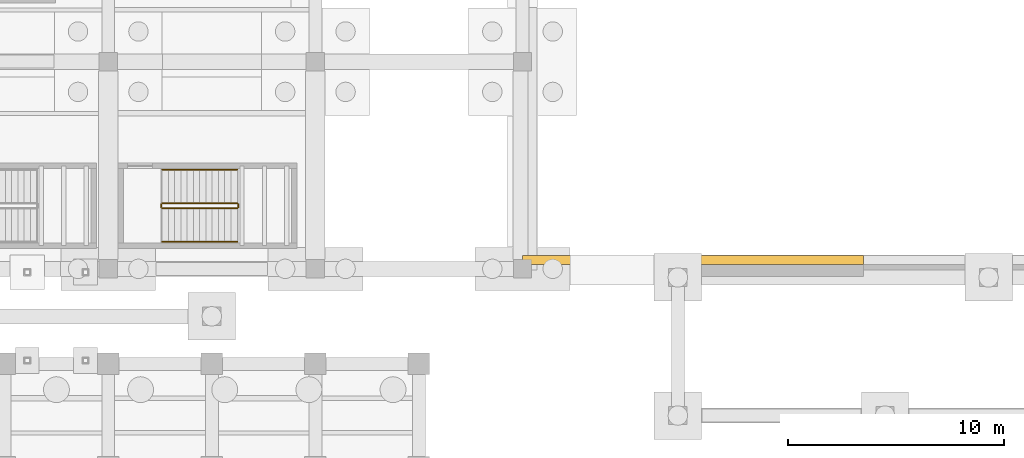
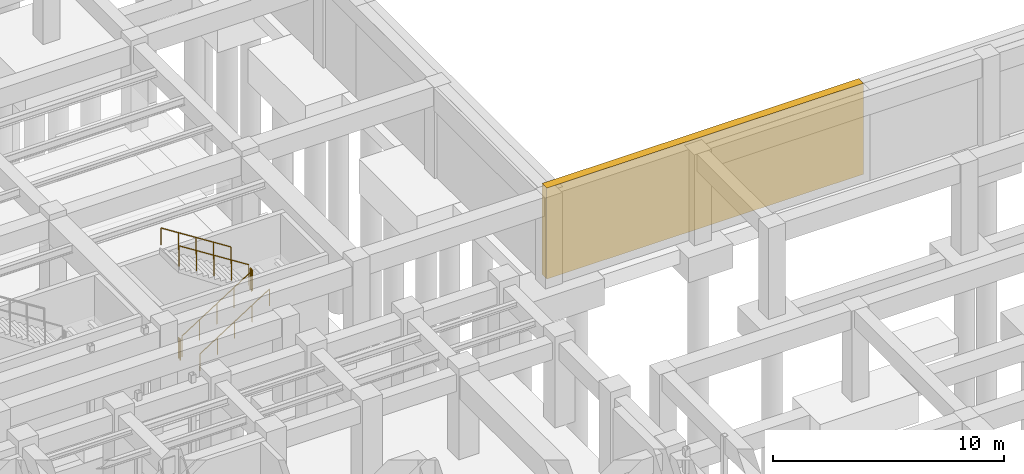
# One storey, part 52 of 56: 6 railings, 1 covering.
"""IFC4 building model written with IfcOpenShell, lengths in metres."""

from ifc_helpers import new_model, si_unit, direction, frame, origin, origin_2d, place, context, subcontext, project, spatial, polyline, circle, outline, extrude, material, layer, layer_set, type_object, element, save


model = new_model("IFC4")

# Units and contexts
model_context = context("Model", 3, precision=1e-05, world=origin(), true_north=direction((0.0, 1.0)))
body_context = subcontext(model_context, "Body", "Model", "MODEL_VIEW")
ifc_project = project(units=[si_unit("LENGTHUNIT", "METRE"), si_unit("AREAUNIT", "SQUARE_METRE"), si_unit("VOLUMEUNIT", "CUBIC_METRE"), si_unit("PLANEANGLEUNIT", "RADIAN"), si_unit("MASSUNIT", "GRAM", prefix="KILO")], contexts=[model_context])

# Site, building, storey
site_placement = place(None, origin())
site = spatial("IfcSite", under=ifc_project, at=site_placement, CompositionType="ELEMENT")
building_placement = place(site_placement, origin())
building = spatial("IfcBuilding", under=site, at=building_placement, Name="Mavantir Sound Aquarium", CompositionType="ELEMENT")
storey_placement = place(building_placement, frame((0.0, 0.0, -9.60009765625)))
storey = spatial("IfcBuildingStorey", under=building, at=storey_placement, Name="B2", CompositionType="ELEMENT", Elevation=-9.60009765625)

# Covering
ifc_material_1 = material(Name="Honed Coral-Limestone & Glazed Terracotta Rainscreen Cladding", Category="masonry")
ifc_layer = layer(ifc_material_1, 0.06005859375, Name="Honed Coral-Limestone & Glazed Terracotta Rainscreen Cladding")
ifc_layer_set = layer_set([ifc_layer], Name="Honed Coral-Limestone & Glazed Terracotta Rainscreen Cladding")
covering_type = type_object("IfcCoveringType", Name="COV-CLAD-TC", PredefinedType="CLADDING", material=ifc_layer_set)
covering_placement = place(storey_placement, origin())
element("IfcCovering", 1, at=covering_placement, inside=storey, type_object=covering_type, Name="B2 rusticated coral-stone plinth cladding 31", PredefinedType="CLADDING", context=body_context, shape_type="SweptSolid", body=[
    extrude(outline(polyline([(54.199951171875, 83.800048828125), (38.39990234375, 83.800048828125), (38.39990234375, 84.2099609375), (54.199951171875, 84.2099609375), (54.199951171875, 83.800048828125)])), origin(), (0.0, 0.0, 1.0), 4.800048828125),
])

# Railings
ifc_material_2 = material(Name="Stainless Steel 316 and Laminated Glass Guardrail", Category="steel")
railing_type_1 = type_object("IfcRailingType", Name="RL-GUARD-110", PredefinedType="GUARDRAIL", material=ifc_material_2)
railing_1_placement = place(storey_placement, frame((21.699951171875, 86.39990234375, 0.184814453125)))
element("IfcRailing", 2, at=railing_1_placement, inside=storey, type_object=railing_type_1, Name="B2 ST7 stair guard 1", PredefinedType="GUARDRAIL", context=body_context, shape_type="SweptSolid", body=[
    extrude(circle(Radius=0.02392578125, at=origin_2d()), frame((0.0, 0.0, 1.076171875), z_axis=(0.843573748531, 0.0, 0.537013343214), x_axis=(0.0, 1.0, 0.0)), (0.0, 0.0, 1.0), 4.125244140625),
    extrude(circle(Radius=0.02099609375, at=origin_2d()), origin(), (0.0, 0.0, 1.0), 1.052001953125),
    extrude(circle(Radius=0.02099609375, at=origin_2d()), frame((0.8701171875, 0.0, 0.5537109375)), (0.0, 0.0, 1.0), 1.052001953125),
    extrude(circle(Radius=0.02099609375, at=origin_2d()), frame((1.739990234375, 0.0, 1.107666015625)), (0.0, 0.0, 1.0), 1.052001953125),
    extrude(circle(Radius=0.02099609375, at=origin_2d()), frame((2.60986328125, 0.0, 1.66162109375)), (0.0, 0.0, 1.0), 1.052001953125),
    extrude(circle(Radius=0.02099609375, at=origin_2d()), frame((3.47998046875, 0.0, 2.21533203125)), (0.0, 0.0, 1.0), 1.052001953125),
])
railing_2_placement = place(storey_placement, frame((25.22998046875, 86.449951171875, 2.400146484375)))
element("IfcRailing", 3, at=railing_2_placement, inside=storey, type_object=railing_type_1, Name="B2 ST7 stair guard 2", PredefinedType="GUARDRAIL", context=body_context, shape_type="SweptSolid", body=[
    extrude(circle(Radius=0.02392578125, at=origin_2d()), frame((0.0, 0.0, 1.076171875), z_axis=(0.0, 1.0, 0.0), x_axis=(-1.0, 0.0, 0.0)), (0.0, 0.0, 1.0), 0.150146484375),
    extrude(circle(Radius=0.02099609375, at=origin_2d()), origin(), (0.0, 0.0, 1.0), 1.052001953125),
    extrude(circle(Radius=0.02099609375, at=origin_2d()), frame((0.0, 0.150146484375, 0.0)), (0.0, 0.0, 1.0), 1.052001953125),
])
railing_3_placement = place(storey_placement, frame((25.179931640625, 86.64990234375, 2.584716796875)))
element("IfcRailing", 4, at=railing_3_placement, inside=storey, type_object=railing_type_1, Name="B2 ST7 stair guard 3", PredefinedType="GUARDRAIL", context=body_context, shape_type="SweptSolid", body=[
    extrude(circle(Radius=0.02392578125, at=origin_2d()), frame((0.0, 0.0, 1.076171875), z_axis=(-0.843573748531, 0.0, 0.537013343214), x_axis=(0.0, -1.0, 0.0)), (0.0, 0.0, 1.0), 4.125244140625),
    extrude(circle(Radius=0.02099609375, at=origin_2d()), origin(), (0.0, 0.0, 1.0), 1.052001953125),
    extrude(circle(Radius=0.02099609375, at=origin_2d()), frame((-0.8701171875, 0.0, 0.5537109375)), (0.0, 0.0, 1.0), 1.052001953125),
    extrude(circle(Radius=0.02099609375, at=origin_2d()), frame((-1.739990234375, 0.0, 1.107666015625)), (0.0, 0.0, 1.0), 1.052001953125),
    extrude(circle(Radius=0.02099609375, at=origin_2d()), frame((-2.60986328125, 0.0, 1.66162109375)), (0.0, 0.0, 1.0), 1.052001953125),
    extrude(circle(Radius=0.02099609375, at=origin_2d()), frame((-3.47998046875, 0.0, 2.21533203125)), (0.0, 0.0, 1.0), 1.052001953125),
])
railing_4_placement = place(storey_placement, frame((21.64990234375, 86.449951171875, 0.0)))
element("IfcRailing", 5, at=railing_4_placement, inside=storey, type_object=railing_type_1, Name="B2 ST7 stair guard 4", PredefinedType="GUARDRAIL", context=body_context, shape_type="SweptSolid", body=[
    extrude(circle(Radius=0.02392578125, at=origin_2d()), frame((0.0, 0.0, 1.076171875), z_axis=(0.0, 1.0, 0.0), x_axis=(-1.0, 0.0, 0.0)), (0.0, 0.0, 1.0), 0.150146484375),
    extrude(circle(Radius=0.02099609375, at=origin_2d()), origin(), (0.0, 0.0, 1.0), 1.052001953125),
    extrude(circle(Radius=0.02099609375, at=origin_2d()), frame((0.0, 0.150146484375, 0.0)), (0.0, 0.0, 1.0), 1.052001953125),
])
ifc_material_3 = material(Name="Brushed Stainless Steel 316 Handrail", Category="steel")
railing_type_2 = type_object("IfcRailingType", Name="RL-HR-90", PredefinedType="HANDRAIL", material=ifc_material_3)
railing_5_placement = place(storey_placement, frame((21.699951171875, 84.85009765625, 0.36962890625)))
element("IfcRailing", 6, at=railing_5_placement, inside=storey, type_object=railing_type_2, Name="B2 ST7 stair handrail 1", PredefinedType="HANDRAIL", context=body_context, shape_type="SweptSolid", body=[
    extrude(circle(Radius=0.02392578125, at=origin_2d()), frame((0.0, 0.0, 0.89111328125), z_axis=(0.843546938479, 0.0, 0.53705545578), x_axis=(0.0, 1.0, 0.0)), (0.0, 0.0, 1.0), 4.12548828125),
    extrude(circle(Radius=0.02099609375, at=origin_2d()), origin(), (0.0, 0.0, 1.0), 0.866943359375),
    extrude(circle(Radius=0.02099609375, at=origin_2d()), frame((0.8701171875, 0.0, 0.553955078125)), (0.0, 0.0, 1.0), 0.866943359375),
    extrude(circle(Radius=0.02099609375, at=origin_2d()), frame((1.739990234375, 0.0, 1.10791015625)), (0.0, 0.0, 1.0), 0.866943359375),
    extrude(circle(Radius=0.02099609375, at=origin_2d()), frame((2.60986328125, 0.0, 1.66162109375)), (0.0, 0.0, 1.0), 0.866943359375),
    extrude(circle(Radius=0.02099609375, at=origin_2d()), frame((3.47998046875, 0.0, 2.215576171875)), (0.0, 0.0, 1.0), 0.866943359375),
])
railing_6_placement = place(storey_placement, frame((25.179931640625, 88.199951171875, 2.769775390625)))
element("IfcRailing", 7, at=railing_6_placement, inside=storey, type_object=railing_type_2, Name="B2 ST7 stair handrail 2", PredefinedType="HANDRAIL", context=body_context, shape_type="SweptSolid", body=[
    extrude(circle(Radius=0.02392578125, at=origin_2d()), frame((0.0, 0.0, 0.89111328125), z_axis=(-0.843573748531, 0.0, 0.537013343214), x_axis=(0.0, -1.0, 0.0)), (0.0, 0.0, 1.0), 4.125244140625),
    extrude(circle(Radius=0.02099609375, at=origin_2d()), origin(), (0.0, 0.0, 1.0), 0.866943359375),
    extrude(circle(Radius=0.02099609375, at=origin_2d()), frame((-0.8701171875, 0.0, 0.5537109375)), (0.0, 0.0, 1.0), 0.866943359375),
    extrude(circle(Radius=0.02099609375, at=origin_2d()), frame((-1.739990234375, 0.0, 1.107666015625)), (0.0, 0.0, 1.0), 0.866943359375),
    extrude(circle(Radius=0.02099609375, at=origin_2d()), frame((-2.60986328125, 0.0, 1.66162109375)), (0.0, 0.0, 1.0), 0.866943359375),
    extrude(circle(Radius=0.02099609375, at=origin_2d()), frame((-3.47998046875, 0.0, 2.21533203125)), (0.0, 0.0, 1.0), 0.866943359375),
])

save(model, "model.ifc")
